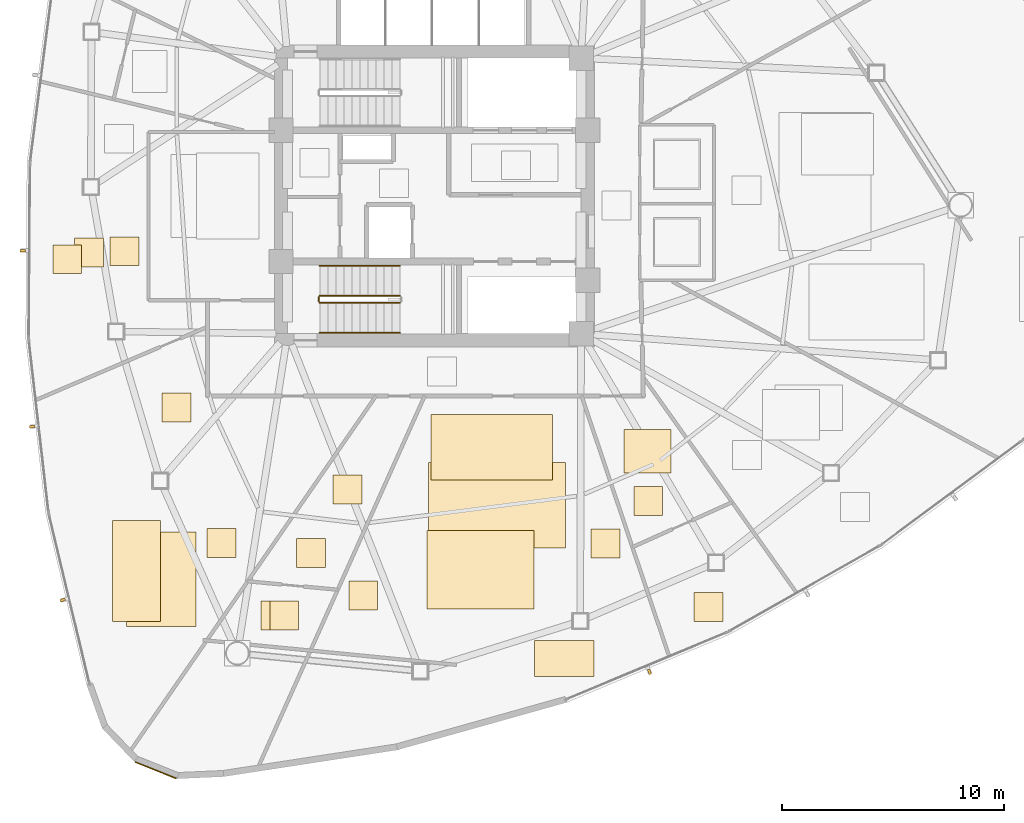
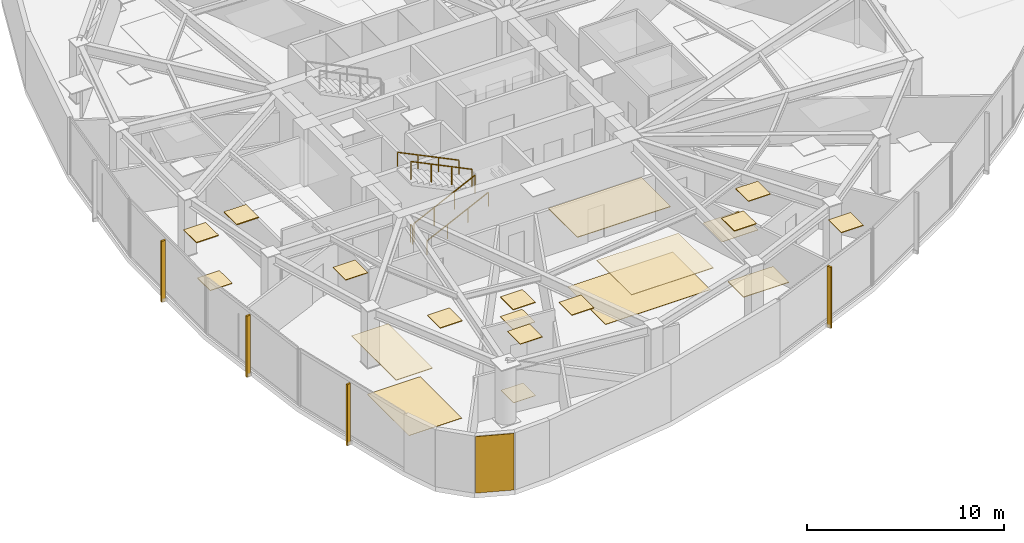
# One storey, part 14 of 17: 21 coverings, 5 railings, 4 shading devices.
"""IFC4 building model written with IfcOpenShell, lengths in metres."""

from ifc_helpers import new_model, si_unit, direction, frame, origin, origin_2d, place, context, subcontext, project, spatial, polyline, rectangle, outline, extrude, source, transform, mapped, material, layer, layer_set, type_object, type_shapes, element, save


model = new_model("IFC4")

# Units and contexts
model_context = context("Model", 3, precision=1e-05, world=origin(), true_north=direction((0.0, 1.0)))
body_context = subcontext(model_context, "Body", "Model", "MODEL_VIEW")
ifc_project = project(units=[si_unit("LENGTHUNIT", "METRE"), si_unit("AREAUNIT", "SQUARE_METRE"), si_unit("VOLUMEUNIT", "CUBIC_METRE"), si_unit("PLANEANGLEUNIT", "RADIAN"), si_unit("MASSUNIT", "GRAM", prefix="KILO")], contexts=[model_context])

# Site, building, storey
site_placement = place(None, origin())
site = spatial("IfcSite", under=ifc_project, at=site_placement, CompositionType="ELEMENT")
building_placement = place(site_placement, origin())
building = spatial("IfcBuilding", under=site, at=building_placement, Name="Tavelor Broadcast Tower", CompositionType="ELEMENT")
storey_placement = place(building_placement, frame((0.0, 0.0, 142.550048828125)))
storey = spatial("IfcBuildingStorey", under=building, at=storey_placement, Name="L33", CompositionType="ELEMENT", Elevation=142.550048828125)

# Covering
ifc_material_1 = material(Name="Copper-Bronze Anodized Aluminium", Category="aluminium")
ifc_layer_1 = layer(ifc_material_1, 0.050048828125)
ifc_layer_set_1 = layer_set([ifc_layer_1], Name="Copper-Bronze Anodized Aluminium")
covering_type_1 = type_object("IfcCoveringType", Name="Champagne-Bronze Corner Pier Metal Cladding 50 mm", PredefinedType="CLADDING", material=ifc_layer_set_1)
covering_1_placement = place(storey_placement, frame((37.464111328125, 19.1640625, 0.02001953125), z_axis=(0.0, 0.0, 1.0), x_axis=(0.928809552872, -0.37055743751, 0.0)))
element("IfcCovering", 1, at=covering_1_placement, inside=storey, type_object=covering_type_1, Name="L33 Champagne-Bronze Corner Cladding 13", PredefinedType="CLADDING", context=body_context, shape_type="SweptSolid", body=[
    extrude(rectangle(XDim=1.980712890625, YDim=0.050048828125, at=origin_2d()), origin(), (0.0, 0.0, 1.0), 3.510009765625),
])

# Railings
ifc_material_2 = material(Name="Steel S355", Category="steel")
railing_type_1 = type_object("IfcRailingType", Name="Continuous Brushed Stainless Handrail 900 mm", PredefinedType="HANDRAIL", material=ifc_material_2)
railing_1_placement = place(storey_placement, frame((44.85009765625, 38.85009765625, 0.175048828125)))
element("IfcRailing", 2, at=railing_1_placement, inside=storey, type_object=railing_type_1, Name="L33 ST2 stair handrail 1", PredefinedType="HANDRAIL", context=body_context, shape_type="SweptSolid", body=[
    extrude(rectangle(XDim=0.048095703125, YDim=0.048095703125, at=origin_2d()), frame((0.0, 0.0, 0.8759765625), z_axis=(0.899360859046, 0.0, 0.437207096483), x_axis=(0.0, 1.0, 0.0)), (0.0, 0.0, 1.0), 4.002685546875),
    extrude(rectangle(XDim=0.0419921875, YDim=0.0419921875, at=origin_2d()), origin(), (0.0, 0.0, 1.0), 0.851806640625),
    extrude(rectangle(XDim=0.0419921875, YDim=0.0419921875, at=origin_2d()), frame((1.199951171875, 0.0, 0.583251953125)), (0.0, 0.0, 1.0), 0.851806640625),
    extrude(rectangle(XDim=0.0419921875, YDim=0.0419921875, at=origin_2d()), frame((2.39990234375, 0.0, 1.166748046875)), (0.0, 0.0, 1.0), 0.851806640625),
    extrude(rectangle(XDim=0.0419921875, YDim=0.0419921875, at=origin_2d()), frame((3.599853515625, 0.0, 1.75)), (0.0, 0.0, 1.0), 0.851806640625),
])
railing_2_placement = place(storey_placement, frame((48.449951171875, 41.85009765625, 2.099853515625)))
element("IfcRailing", 3, at=railing_2_placement, inside=storey, type_object=railing_type_1, Name="L33 ST2 stair handrail 2", PredefinedType="HANDRAIL", context=body_context, shape_type="SweptSolid", body=[
    extrude(rectangle(XDim=0.048095703125, YDim=0.048095703125, at=origin_2d()), frame((0.0, 0.0, 0.8759765625), z_axis=(-0.899360859046, 0.0, 0.437207096483), x_axis=(0.0, -1.0, 0.0)), (0.0, 0.0, 1.0), 4.002685546875),
    extrude(rectangle(XDim=0.0419921875, YDim=0.0419921875, at=origin_2d()), origin(), (0.0, 0.0, 1.0), 0.851806640625),
    extrude(rectangle(XDim=0.0419921875, YDim=0.0419921875, at=origin_2d()), frame((-1.199951171875, 0.0, 0.583251953125)), (0.0, 0.0, 1.0), 0.851806640625),
    extrude(rectangle(XDim=0.0419921875, YDim=0.0419921875, at=origin_2d()), frame((-2.39990234375, 0.0, 1.166748046875)), (0.0, 0.0, 1.0), 0.851806640625),
    extrude(rectangle(XDim=0.0419921875, YDim=0.0419921875, at=origin_2d()), frame((-3.599853515625, 0.0, 1.75)), (0.0, 0.0, 1.0), 0.851806640625),
])

# Coverings
ifc_material_3 = material(Name="Acoustic Nylon Carpet Tile")
ifc_layer_2 = layer(ifc_material_3, 0.02001953125)
ifc_layer_set_2 = layer_set([ifc_layer_2], Name="Acoustic Nylon Carpet Tile")
covering_type_2 = type_object("IfcCoveringType", Name="Heavy-Duty Acoustic Broadcast Carpet Tile 20 mm", PredefinedType="FLOORING", material=ifc_layer_set_2)
covering_2_placement = place(storey_placement, origin())
element("IfcCovering", 4, at=covering_2_placement, inside=storey, type_object=covering_type_2, Name="L33 Broadcast Floor Finish 0469", PredefinedType="FLOORING", context=body_context, shape_type="SweptSolid", body=[
    extrude(outline(polyline([(49.73876953125, 29.16357421875), (55.91015625, 29.16357421875), (55.91015625, 33.01416015625), (49.73876953125, 33.01416015625), (49.73876953125, 29.16357421875)])), origin(), (0.0, 0.0, 1.0), 0.02001953125),
])
covering_3_placement = place(storey_placement, origin())
element("IfcCovering", 5, at=covering_3_placement, inside=storey, type_object=covering_type_2, Name="L33 Broadcast Floor Finish 0470", PredefinedType="FLOORING", context=body_context, shape_type="SweptSolid", body=[
    extrude(outline(polyline([(42.205322265625, 25.474365234375), (43.50537109375, 25.474365234375), (43.50537109375, 26.7744140625), (42.205322265625, 26.7744140625), (42.205322265625, 25.474365234375)])), origin(), (0.0, 0.0, 1.0), 0.02001953125),
])
covering_4_placement = place(storey_placement, origin())
element("IfcCovering", 6, at=covering_4_placement, inside=storey, type_object=covering_type_2, Name="L33 Broadcast Floor Finish 0471", PredefinedType="FLOORING", context=body_context, shape_type="SweptSolid", body=[
    extrude(outline(polyline([(36.15283203125, 25.631103515625), (39.265869140625, 25.631103515625), (39.265869140625, 29.8701171875), (36.15283203125, 29.8701171875), (36.15283203125, 25.631103515625)])), origin(), (0.0, 0.0, 1.0), 0.02001953125),
])
covering_5_placement = place(storey_placement, origin())
element("IfcCovering", 7, at=covering_5_placement, inside=storey, type_object=covering_type_2, Name="L33 Broadcast Floor Finish 0477", PredefinedType="FLOORING", context=body_context, shape_type="SweptSolid", body=[
    extrude(outline(polyline([(58.52978515625, 32.5380859375), (60.64501953125, 32.5380859375), (60.64501953125, 34.485595703125), (58.52978515625, 34.485595703125), (58.52978515625, 32.5380859375)])), origin(), (0.0, 0.0, 1.0), 0.02001953125),
])
covering_6_placement = place(storey_placement, origin())
element("IfcCovering", 8, at=covering_6_placement, inside=storey, type_object=covering_type_2, Name="L33 Broadcast Floor Finish 0478", PredefinedType="FLOORING", context=body_context, shape_type="SweptSolid", body=[
    extrude(outline(polyline([(45.44189453125, 31.150146484375), (46.741943359375, 31.150146484375), (46.741943359375, 32.4501953125), (45.44189453125, 32.4501953125), (45.44189453125, 31.150146484375)])), origin(), (0.0, 0.0, 1.0), 0.02001953125),
])
ifc_material_4 = material(Name="Acoustic Hardwood Studio Flooring", Category="wood")
ifc_layer_3 = layer(ifc_material_4, 0.034912109375)
ifc_layer_set_3 = layer_set([ifc_layer_3], Name="Acoustic Hardwood Studio Flooring")
covering_type_3 = type_object("IfcCoveringType", Name="Isolated Studio Acoustic Elastomeric Floor Finish 35 mm", PredefinedType="FLOORING", material=ifc_layer_set_3)
covering_7_placement = place(storey_placement, origin())
element("IfcCovering", 9, at=covering_7_placement, inside=storey, type_object=covering_type_3, Name="L33 Broadcast Floor Finish 0472", PredefinedType="FLOORING", context=body_context, shape_type="SweptSolid", body=[
    extrude(outline(polyline([(33.8134765625, 41.80810546875), (35.113525390625, 41.80810546875), (35.113525390625, 43.108154296875), (33.8134765625, 43.108154296875), (33.8134765625, 41.80810546875)])), origin(), (0.0, 0.0, 1.0), 0.034912109375),
])
ifc_material_5 = material(Name="Acoustic Perforated Timber Baffle", Category="wood")
ifc_layer_4 = layer(ifc_material_5, 0.054931640625)
ifc_layer_set_4 = layer_set([ifc_layer_4], Name="Acoustic Perforated Timber Baffle")
covering_type_4 = type_object("IfcCoveringType", Name="Micro-Perforated Acoustic Baffle Studio Ceiling 55 mm", PredefinedType="CEILING", material=ifc_layer_set_4)
covering_8_placement = place(storey_placement, frame((0.0, 0.0, 3.494873046875)))
element("IfcCovering", 10, at=covering_8_placement, inside=storey, type_object=covering_type_4, Name="L33 Suspended Acoustic Ceiling 1359", PredefinedType="CEILING", context=body_context, shape_type="SweptSolid", body=[
    extrude(outline(polyline([(32.834716796875, 41.49951171875), (34.134765625, 41.49951171875), (34.134765625, 42.799560546875), (32.834716796875, 42.799560546875), (32.834716796875, 41.49951171875)])), origin(), (0.0, 0.0, 1.0), 0.05517578125),
])
covering_9_placement = place(storey_placement, frame((0.0, 0.0, 3.494873046875)))
element("IfcCovering", 11, at=covering_9_placement, inside=storey, type_object=covering_type_4, Name="L33 Suspended Acoustic Ceiling 1361", PredefinedType="CEILING", context=body_context, shape_type="SweptSolid", body=[
    extrude(outline(polyline([(35.412109375, 41.8603515625), (36.712158203125, 41.8603515625), (36.712158203125, 43.160400390625), (35.412109375, 43.160400390625), (35.412109375, 41.8603515625)])), origin(), (0.0, 0.0, 1.0), 0.05517578125),
])

# Railings
railing_type_2 = type_object("IfcRailingType", Name="Stairwell Steel Safety Guardrail 1150 mm", PredefinedType="GUARDRAIL", material=ifc_material_2)
railing_3_placement = place(storey_placement, frame((44.85009765625, 40.199951171875, 0.175048828125)))
element("IfcRailing", 12, at=railing_3_placement, inside=storey, type_object=railing_type_2, Name="L33 ST2 stair guard 1", PredefinedType="GUARDRAIL", context=body_context, shape_type="SweptSolid", body=[
    extrude(rectangle(XDim=0.048095703125, YDim=0.048095703125, at=origin_2d()), frame((0.0, 0.0, 1.1259765625), z_axis=(0.899360859046, 0.0, 0.437207096483), x_axis=(0.0, 1.0, 0.0)), (0.0, 0.0, 1.0), 4.002685546875),
    extrude(rectangle(XDim=0.0419921875, YDim=0.0419921875, at=origin_2d()), origin(), (0.0, 0.0, 1.0), 1.101806640625),
    extrude(rectangle(XDim=0.0419921875, YDim=0.0419921875, at=origin_2d()), frame((1.199951171875, 0.0, 0.583251953125)), (0.0, 0.0, 1.0), 1.101806640625),
    extrude(rectangle(XDim=0.0419921875, YDim=0.0419921875, at=origin_2d()), frame((2.39990234375, 0.0, 1.166748046875)), (0.0, 0.0, 1.0), 1.101806640625),
    extrude(rectangle(XDim=0.0419921875, YDim=0.0419921875, at=origin_2d()), frame((3.599853515625, 0.0, 1.75)), (0.0, 0.0, 1.0), 1.101806640625),
])
railing_4_placement = place(storey_placement, frame((48.449951171875, 40.5, 2.099853515625)))
element("IfcRailing", 13, at=railing_4_placement, inside=storey, type_object=railing_type_2, Name="L33 ST2 stair guard 3", PredefinedType="GUARDRAIL", context=body_context, shape_type="SweptSolid", body=[
    extrude(rectangle(XDim=0.048095703125, YDim=0.048095703125, at=origin_2d()), frame((0.0, 0.0, 1.1259765625), z_axis=(-0.899360859046, 0.0, 0.437207096483), x_axis=(0.0, -1.0, 0.0)), (0.0, 0.0, 1.0), 4.002685546875),
    extrude(rectangle(XDim=0.0419921875, YDim=0.0419921875, at=origin_2d()), origin(), (0.0, 0.0, 1.0), 1.101806640625),
    extrude(rectangle(XDim=0.0419921875, YDim=0.0419921875, at=origin_2d()), frame((-1.199951171875, 0.0, 0.583251953125)), (0.0, 0.0, 1.0), 1.101806640625),
    extrude(rectangle(XDim=0.0419921875, YDim=0.0419921875, at=origin_2d()), frame((-2.39990234375, 0.0, 1.166748046875)), (0.0, 0.0, 1.0), 1.101806640625),
    extrude(rectangle(XDim=0.0419921875, YDim=0.0419921875, at=origin_2d()), frame((-3.599853515625, 0.0, 1.75)), (0.0, 0.0, 1.0), 1.101806640625),
])
railing_5_placement = place(storey_placement, frame((44.800048828125, 40.25, 0.0)))
element("IfcRailing", 14, at=railing_5_placement, inside=storey, type_object=railing_type_2, Name="L33 ST2 stair guard 4", PredefinedType="GUARDRAIL", context=body_context, shape_type="SweptSolid", body=[
    extrude(rectangle(XDim=0.048095703125, YDim=0.048095703125, at=origin_2d()), frame((0.0, 0.0, 1.1259765625), z_axis=(0.0, 1.0, 0.0), x_axis=(-1.0, 0.0, 0.0)), (0.0, 0.0, 1.0), 0.199951171875),
    extrude(rectangle(XDim=0.0419921875, YDim=0.0419921875, at=origin_2d()), origin(), (0.0, 0.0, 1.0), 1.101806640625),
    extrude(rectangle(XDim=0.0419921875, YDim=0.0419921875, at=origin_2d()), frame((0.0, 0.199951171875, 0.0)), (0.0, 0.0, 1.0), 1.101806640625),
])

# Coverings
ifc_material_6 = material(Name="Acoustic Mineral Fibre Tile")
ifc_layer_5 = layer(ifc_material_6, 0.0400390625)
ifc_layer_set_5 = layer_set([ifc_layer_5], Name="Acoustic Mineral Fibre Tile")
covering_type_5 = type_object("IfcCoveringType", Name="Suspended Acoustic Mineral-Fibre Office Ceiling 40 mm", PredefinedType="CEILING", material=ifc_layer_set_5)
covering_10_placement = place(storey_placement, frame((0.0, 0.0, 3.510009765625)))
element("IfcCovering", 15, at=covering_10_placement, inside=storey, type_object=covering_type_5, Name="L33 Suspended Acoustic Ceiling 1349", PredefinedType="CEILING", context=body_context, shape_type="SweptSolid", body=[
    extrude(outline(polyline([(61.67919921875, 25.864501953125), (62.97900390625, 25.864501953125), (62.97900390625, 27.16455078125), (61.67919921875, 27.16455078125), (61.67919921875, 25.864501953125)])), origin(), (0.0, 0.0, 1.0), 0.0400390625),
])
covering_11_placement = place(storey_placement, frame((0.0, 0.0, 3.510009765625)))
element("IfcCovering", 16, at=covering_11_placement, inside=storey, type_object=covering_type_5, Name="L33 Suspended Acoustic Ceiling 1350", PredefinedType="CEILING", context=body_context, shape_type="SweptSolid", body=[
    extrude(outline(polyline([(54.515380859375, 23.385009765625), (57.171630859375, 23.385009765625), (57.171630859375, 24.999755859375), (54.515380859375, 24.999755859375), (54.515380859375, 23.385009765625)])), origin(), (0.0, 0.0, 1.0), 0.0400390625),
])
covering_12_placement = place(storey_placement, frame((0.0, 0.0, 3.510009765625)))
element("IfcCovering", 17, at=covering_12_placement, inside=storey, type_object=covering_type_5, Name="L33 Suspended Acoustic Ceiling 1351", PredefinedType="CEILING", context=body_context, shape_type="SweptSolid", body=[
    extrude(outline(polyline([(49.67578125, 26.414794921875), (54.47998046875, 26.414794921875), (54.47998046875, 29.953369140625), (49.67578125, 29.953369140625), (49.67578125, 26.414794921875)])), origin(), (0.0, 0.0, 1.0), 0.0400390625),
])
covering_13_placement = place(storey_placement, frame((0.0, 0.0, 3.510009765625)))
element("IfcCovering", 18, at=covering_13_placement, inside=storey, type_object=covering_type_5, Name="L33 Suspended Acoustic Ceiling 1352", PredefinedType="CEILING", context=body_context, shape_type="SweptSolid", body=[
    extrude(outline(polyline([(46.150146484375, 26.382080078125), (47.4501953125, 26.382080078125), (47.4501953125, 27.681884765625), (46.150146484375, 27.681884765625), (46.150146484375, 26.382080078125)])), origin(), (0.0, 0.0, 1.0), 0.0400390625),
])
covering_14_placement = place(storey_placement, frame((0.0, 0.0, 3.510009765625)))
element("IfcCovering", 19, at=covering_14_placement, inside=storey, type_object=covering_type_5, Name="L33 Suspended Acoustic Ceiling 1353", PredefinedType="CEILING", context=body_context, shape_type="SweptSolid", body=[
    extrude(outline(polyline([(49.846435546875, 32.21240234375), (55.317138671875, 32.21240234375), (55.317138671875, 35.176513671875), (49.846435546875, 35.176513671875), (49.846435546875, 32.21240234375)])), origin(), (0.0, 0.0, 1.0), 0.0400390625),
])
covering_15_placement = place(storey_placement, frame((0.0, 0.0, 3.510009765625)))
element("IfcCovering", 20, at=covering_15_placement, inside=storey, type_object=covering_type_5, Name="L33 Suspended Acoustic Ceiling 1354", PredefinedType="CEILING", context=body_context, shape_type="SweptSolid", body=[
    extrude(outline(polyline([(57.042724609375, 28.716796875), (58.3427734375, 28.716796875), (58.3427734375, 30.016845703125), (57.042724609375, 30.016845703125), (57.042724609375, 28.716796875)])), origin(), (0.0, 0.0, 1.0), 0.0400390625),
])
covering_16_placement = place(storey_placement, frame((0.0, 0.0, 3.510009765625)))
element("IfcCovering", 21, at=covering_16_placement, inside=storey, type_object=covering_type_5, Name="L33 Suspended Acoustic Ceiling 1355", PredefinedType="CEILING", context=body_context, shape_type="SweptSolid", body=[
    extrude(outline(polyline([(42.5947265625, 25.468994140625), (43.894775390625, 25.468994140625), (43.894775390625, 26.768798828125), (42.5947265625, 26.768798828125), (42.5947265625, 25.468994140625)])), origin(), (0.0, 0.0, 1.0), 0.0400390625),
])
covering_17_placement = place(storey_placement, frame((0.0, 0.0, 3.510009765625)))
element("IfcCovering", 22, at=covering_17_placement, inside=storey, type_object=covering_type_5, Name="L33 Suspended Acoustic Ceiling 1356", PredefinedType="CEILING", context=body_context, shape_type="SweptSolid", body=[
    extrude(outline(polyline([(35.52978515625, 25.856201171875), (37.679931640625, 25.856201171875), (37.679931640625, 30.393798828125), (35.52978515625, 30.393798828125), (35.52978515625, 25.856201171875)])), origin(), (0.0, 0.0, 1.0), 0.0400390625),
])
covering_18_placement = place(storey_placement, frame((0.0, 0.0, 3.510009765625)))
element("IfcCovering", 23, at=covering_18_placement, inside=storey, type_object=covering_type_5, Name="L33 Suspended Acoustic Ceiling 1357", PredefinedType="CEILING", context=body_context, shape_type="SweptSolid", body=[
    extrude(outline(polyline([(37.751220703125, 34.8251953125), (39.051025390625, 34.8251953125), (39.051025390625, 36.125244140625), (37.751220703125, 36.125244140625), (37.751220703125, 34.8251953125)])), origin(), (0.0, 0.0, 1.0), 0.0400390625),
])
covering_19_placement = place(storey_placement, frame((0.0, 0.0, 3.510009765625)))
element("IfcCovering", 24, at=covering_19_placement, inside=storey, type_object=covering_type_5, Name="L33 Suspended Acoustic Ceiling 1358", PredefinedType="CEILING", context=body_context, shape_type="SweptSolid", body=[
    extrude(outline(polyline([(39.7783203125, 28.739990234375), (41.078369140625, 28.739990234375), (41.078369140625, 30.0400390625), (39.7783203125, 30.0400390625), (39.7783203125, 28.739990234375)])), origin(), (0.0, 0.0, 1.0), 0.0400390625),
])
covering_20_placement = place(storey_placement, frame((0.0, 0.0, 3.510009765625)))
element("IfcCovering", 25, at=covering_20_placement, inside=storey, type_object=covering_type_5, Name="L33 Suspended Acoustic Ceiling 1376", PredefinedType="CEILING", context=body_context, shape_type="SweptSolid", body=[
    extrude(outline(polyline([(58.973876953125, 30.63232421875), (60.273681640625, 30.63232421875), (60.273681640625, 31.932373046875), (58.973876953125, 31.932373046875), (58.973876953125, 30.63232421875)])), origin(), (0.0, 0.0, 1.0), 0.0400390625),
])
covering_21_placement = place(storey_placement, frame((0.0, 0.0, 3.510009765625)))
element("IfcCovering", 26, at=covering_21_placement, inside=storey, type_object=covering_type_5, Name="L33 Suspended Acoustic Ceiling 1377", PredefinedType="CEILING", context=body_context, shape_type="SweptSolid", body=[
    extrude(outline(polyline([(43.8076171875, 28.29248046875), (45.107666015625, 28.29248046875), (45.107666015625, 29.592529296875), (43.8076171875, 29.592529296875), (43.8076171875, 28.29248046875)])), origin(), (0.0, 0.0, 1.0), 0.0400390625),
])

# Shading devices
ifc_material_7 = material(Name="Kiln-Fired Glazed Terracotta", Category="masonry")
shading_device_type = type_object("IfcShadingDeviceType", Name="Extruded Terracotta Baguette Sun-Screen 110x240", PredefinedType="JALOUSIE", material=ifc_material_7)
shared_shape = source(origin(), body_context, "Body", "SweptSolid", [
    extrude(rectangle(XDim=0.110107421875, YDim=0.239990234375, at=origin_2d()), origin(), (0.0, 0.0, 1.0), 3.7900390625),
])
type_shapes(shading_device_type, [shared_shape])
for number, where, z_axis, x_axis, name in (
    (27, (31.478271484375, 42.536865234375, -0.260009765625), (0.0, 0.0, 1.0), (-0.007330317209, -0.999973132864, 0.0), "L33 Terracotta Baguette Fin 326"),
    (28, (31.89990234375, 34.623779296875, -0.260009765625), (0.0, 0.0, 1.0), (0.113723431234, -0.993512446418, 0.0), "L33 Terracotta Baguette Fin 327"),
    (29, (33.276123046875, 26.8203125, -0.260009765625), (0.0, 0.0, 1.0), (0.233105928507, -0.97245134896, 0.0), "L33 Terracotta Baguette Fin 328"),
    (30, (59.677978515625, 23.58740234375, -0.260009765625), (0.0, 0.0, 1.0), (0.923076016497, 0.3846175604, 0.0), "L33 Terracotta Baguette Fin 329"),
):
    element("IfcShadingDevice", number, at=place(storey_placement, frame(where, z_axis=z_axis, x_axis=x_axis)), inside=storey, type_object=shading_device_type, Name=name, PredefinedType="JALOUSIE", context=body_context, shape_type="MappedRepresentation", body=[
        mapped(shared_shape, transform((0.0, 0.0, 0.0), scale=1.0)),
    ])

save(model, "model.ifc")
